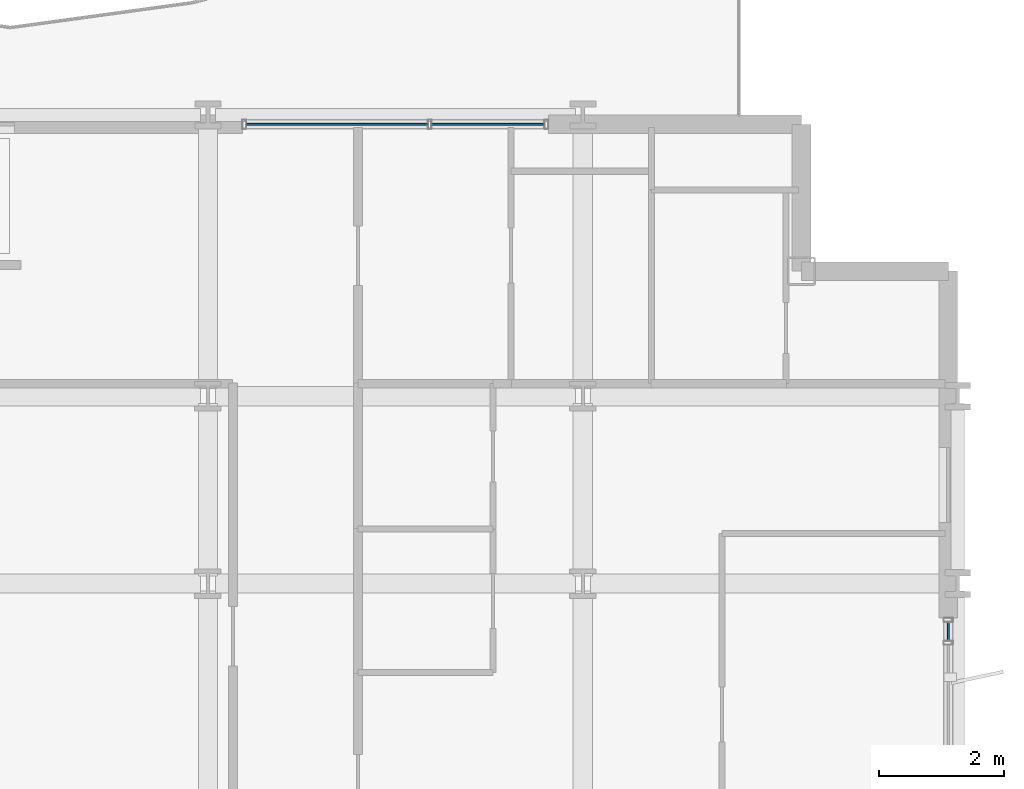
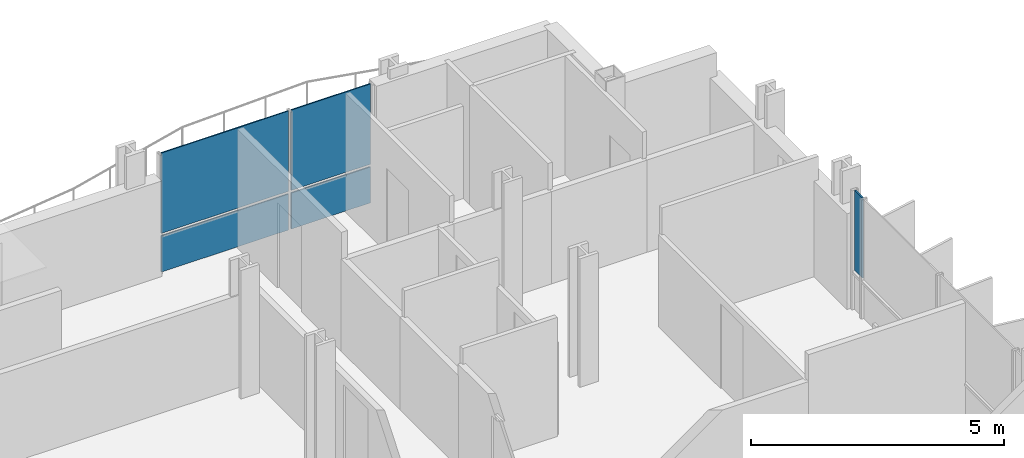
# One storey, part 24 of 38: 5 plates, 2 elements without a shape of their own.
"""IFC4 building model written with IfcOpenShell, lengths in metres."""

from ifc_helpers import new_model, si_unit, direction, frame, origin, origin_2d, place, context, subcontext, project, spatial, rectangle, extrude, material, layer, layer_set, type_object, element, aggregate, save


model = new_model("IFC4")

# Units and contexts
model_context = context("Model", 3, precision=1e-05, world=origin(), true_north=direction((0.0, 1.0)))
body_context = subcontext(model_context, "Body", "Model", "MODEL_VIEW")
ifc_project = project(units=[si_unit("LENGTHUNIT", "METRE"), si_unit("AREAUNIT", "SQUARE_METRE"), si_unit("VOLUMEUNIT", "CUBIC_METRE"), si_unit("PLANEANGLEUNIT", "RADIAN"), si_unit("MASSUNIT", "GRAM", prefix="KILO")], contexts=[model_context])

# Site, building, storey
site_placement = place(None, origin())
site = spatial("IfcSite", under=ifc_project, at=site_placement, CompositionType="ELEMENT")
building_placement = place(site_placement, origin())
building = spatial("IfcBuilding", under=site, at=building_placement, Name="Brevholm Reach", CompositionType="ELEMENT")
storey_placement = place(building_placement, frame((0.0, 0.0, 52.800048828125)))
storey = spatial("IfcBuildingStorey", under=building, at=storey_placement, Name="L14", CompositionType="ELEMENT", Elevation=52.800048828125)

# Curtain wall, plate
ifc_material_1 = material(Name="Dark Anodised Aluminium 6063-T6 and Solar-Control Glass", Category="aluminium")
ifc_layer_1 = layer(ifc_material_1, 0.14990234375)
ifc_layer_set_1 = layer_set([ifc_layer_1], Name="Dark Anodised Aluminium 6063-T6 and Solar-Control Glass")
curtain_wall_type = type_object("IfcCurtainWallType", Name="CW-01", PredefinedType="NOTDEFINED", material=ifc_layer_set_1)
curtain_wall_1_placement = place(storey_placement, origin())
curtain_wall_1 = element("IfcCurtainWall", 1, at=curtain_wall_1_placement, inside=storey, type_object=curtain_wall_type, Name="L14 Curtain Wall CW-01", PredefinedType="NOTDEFINED")
ifc_material_2 = material(Name="Dark Solar-Control Double-Glazed IGU Glass", Category="glass")
ifc_layer_2 = layer(ifc_material_2, 0.028076171875)
ifc_layer_set_2 = layer_set([ifc_layer_2], Name="Dark Solar-Control Double-Glazed IGU Glass")
plate_type = type_object("IfcPlateType", Name="CWP-GLZ-28", PredefinedType="CURTAIN_PANEL", material=ifc_layer_set_2)
plate_1_placement = place(storey_placement, frame((59.85009765625, 22.733642578125, 0.932373046875), z_axis=(0.0, 0.0, 1.0), x_axis=(0.0, 1.0, 0.0)))
plate_1 = element("IfcPlate", 2, at=plate_1_placement, type_object=plate_type, Name="CP-01 Glazing Panel 5.2", PredefinedType="CURTAIN_PANEL", context=body_context, shape_type="SweptSolid", body=[
    extrude(rectangle(XDim=0.302490234375, YDim=0.028076171875, at=origin_2d()), origin(), (0.0, 0.0, 1.0), 1.9375),
])
aggregate(curtain_wall_1, [plate_1])

# Curtain wall, plates
curtain_wall_2_placement = place(storey_placement, origin())
curtain_wall_2 = element("IfcCurtainWall", 3, at=curtain_wall_2_placement, inside=storey, type_object=curtain_wall_type, Name="L14 Curtain Wall CW-01", PredefinedType="NOTDEFINED")
plate_2_placement = place(storey_placement, frame((50.066162109375, 30.85009765625, 0.0), z_axis=(0.0, 0.0, 1.0), x_axis=(1.0, 0.0, 0.0)))
plate_2 = element("IfcPlate", 4, at=plate_2_placement, type_object=plate_type, Name="CP-01 Glazing Panel 1.1", PredefinedType="CURTAIN_PANEL", context=body_context, shape_type="SweptSolid", body=[
    extrude(rectangle(XDim=2.902587890625, YDim=0.028076171875, at=origin_2d()), origin(), (0.0, 0.0, 1.0), 0.867431640625),
])
plate_3_placement = place(storey_placement, frame((50.066162109375, 30.85009765625, 0.932373046875), z_axis=(0.0, 0.0, 1.0), x_axis=(1.0, 0.0, 0.0)))
plate_3 = element("IfcPlate", 5, at=plate_3_placement, type_object=plate_type, Name="CP-01 Glazing Panel 1.2", PredefinedType="CURTAIN_PANEL", context=body_context, shape_type="SweptSolid", body=[
    extrude(rectangle(XDim=2.902587890625, YDim=0.028076171875, at=origin_2d()), origin(), (0.0, 0.0, 1.0), 1.9375),
])
plate_4_placement = place(storey_placement, frame((52.483642578125, 30.85009765625, 0.0), z_axis=(0.0, 0.0, 1.0), x_axis=(1.0, 0.0, 0.0)))
plate_4 = element("IfcPlate", 6, at=plate_4_placement, type_object=plate_type, Name="CP-01 Glazing Panel 2.1", PredefinedType="CURTAIN_PANEL", context=body_context, shape_type="SweptSolid", body=[
    extrude(rectangle(XDim=1.802490234375, YDim=0.028076171875, at=origin_2d()), origin(), (0.0, 0.0, 1.0), 0.867431640625),
])
plate_5_placement = place(storey_placement, frame((52.483642578125, 30.85009765625, 0.932373046875), z_axis=(0.0, 0.0, 1.0), x_axis=(1.0, 0.0, 0.0)))
plate_5 = element("IfcPlate", 7, at=plate_5_placement, type_object=plate_type, Name="CP-01 Glazing Panel 2.2", PredefinedType="CURTAIN_PANEL", context=body_context, shape_type="SweptSolid", body=[
    extrude(rectangle(XDim=1.802490234375, YDim=0.028076171875, at=origin_2d()), origin(), (0.0, 0.0, 1.0), 1.9375),
])
aggregate(curtain_wall_2, [plate_2, plate_3, plate_4, plate_5])

save(model, "model.ifc")
